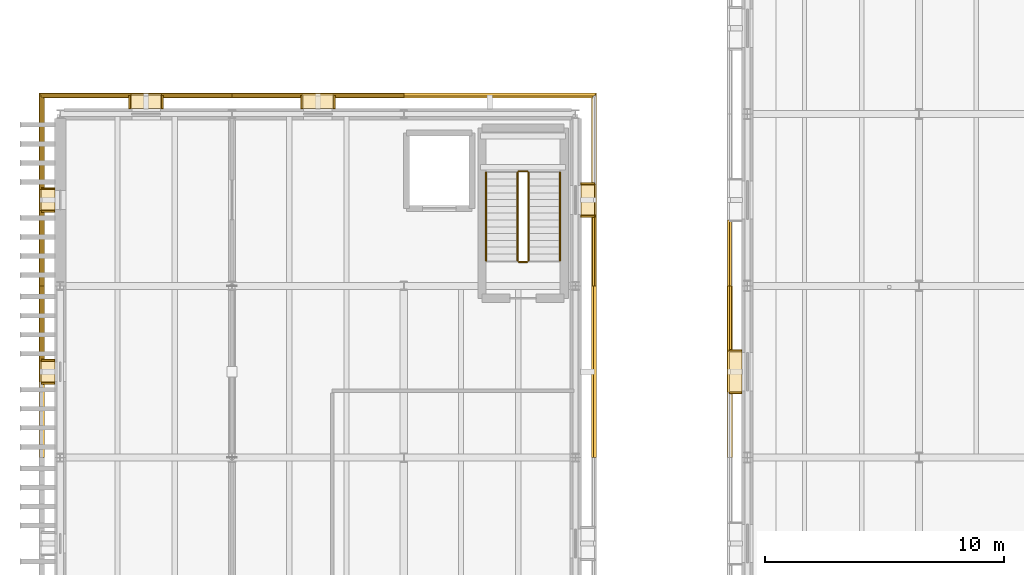
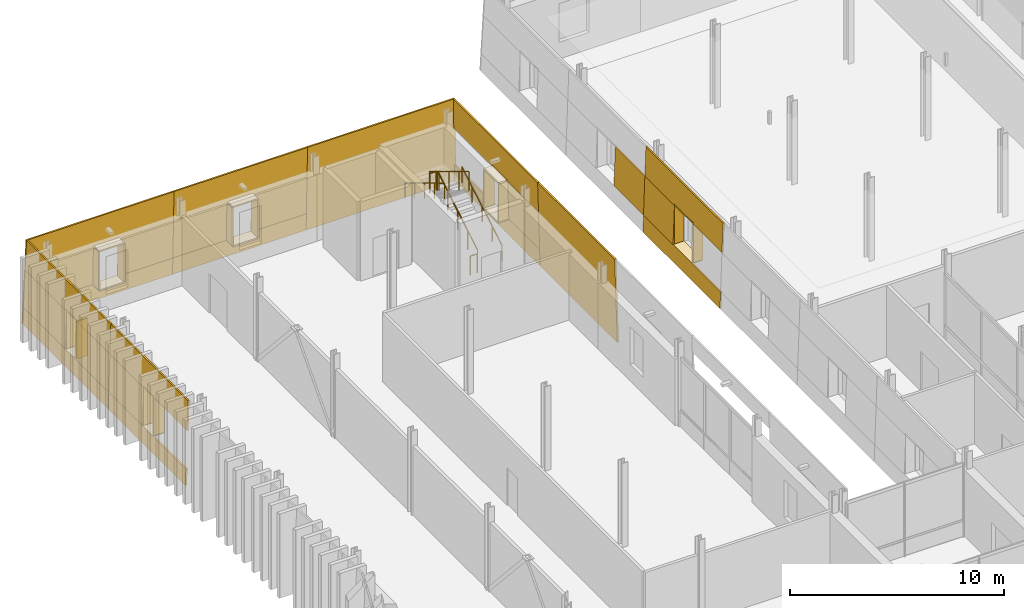
# One storey, part 110 of 121: 48 coverings, 6 railings.
"""IFC4 building model written with IfcOpenShell, lengths in metres."""

import ifcopenshell
import ifcopenshell.guid

model = None  # the IFC model being written
_history = None  # IfcOwnerHistory: only IFC2X3 demands one
_inside = {}  # id of a spatial element -> (the spatial element, [elements in it])
_under = {}  # id of a project, library or spatial element -> (it, [spatial elements below it])
_declared = {}  # id of a project -> (the project, [libraries it declares])
_typed = {}  # id of a type object -> (the type object, [elements of that type])
_made_of = {}  # id of a material, layer set ... -> (it, [elements and type objects made of it])


def new_model(schema):
    """Start an empty IFC model of exactly this schema.

    Asked for "IFC4X3", IfcOpenShell would pick the latest addendum, in which some entities
    have other attributes; the version numbers below select the first issue.
    IFC2X3 requires an IfcOwnerHistory on every rooted entity: one is made here for all.
    """
    global model, _history
    if schema == "IFC4X3":
        model = ifcopenshell.file(schema_version=(4, 3, 0, 0))
    else:
        model = ifcopenshell.file(schema=schema)
    _inside.clear()
    _under.clear()
    _declared.clear()
    _typed.clear()
    _made_of.clear()
    _history = None
    if model.schema == "IFC2X3":
        org = make("IfcOrganization", Name="unknown")
        user = make(
            "IfcPersonAndOrganization",
            ThePerson=make("IfcPerson", FamilyName="unknown"),
            TheOrganization=org,
        )
        app = make(
            "IfcApplication",
            ApplicationDeveloper=org,
            Version="unknown",
            ApplicationFullName="unknown",
            ApplicationIdentifier="unknown",
        )
        _history = make(
            "IfcOwnerHistory",
            OwningUser=user,
            OwningApplication=app,
            ChangeAction="ADDED",
            CreationDate=0,
        )
    return model


def make(cls, **values):
    """One entity of the class cls with the attributes given. An attribute that is None is left unset."""
    return model.create_entity(
        cls, **{name: value for name, value in values.items() if value is not None}
    )


def rooted(cls, **values):
    """An entity with a GlobalId (a new one), such as an element, a storey or a relation."""
    return make(cls, GlobalId=ifcopenshell.guid.new(), OwnerHistory=_history, **values)


def si_unit(unit_type, name, prefix=None):
    """IfcSIUnit, for example si_unit("LENGTHUNIT", "METRE", prefix="MILLI")."""
    return make("IfcSIUnit", UnitType=unit_type, Prefix=prefix, Name=name)


def assignment(units):
    """IfcUnitAssignment: the units of a project."""
    return None if units is None else make("IfcUnitAssignment", Units=units)


def point(xyz):
    """IfcCartesianPoint."""
    return None if xyz is None else make("IfcCartesianPoint", Coordinates=xyz)


def direction(xyz):
    """IfcDirection."""
    return None if xyz is None else make("IfcDirection", DirectionRatios=xyz)


def frame(location, z_axis=None, x_axis=None):
    """IfcAxis2Placement3D, a coordinate frame: its origin and axes. An axis left out is left unset."""
    return make(
        "IfcAxis2Placement3D",
        Location=point(location),
        Axis=direction(z_axis),
        RefDirection=direction(x_axis),
    )


def frame_2d(location, x_axis=None):
    """IfcAxis2Placement2D, a coordinate frame in the plane: its origin and x axis."""
    return make(
        "IfcAxis2Placement2D", Location=point(location), RefDirection=direction(x_axis)
    )


def origin():
    """The frame at (0, 0, 0) with its axes left unset."""
    return frame((0.0, 0.0, 0.0))


def origin_2d():
    """The frame at (0, 0) in the plane with its x axis left unset."""
    return frame_2d((0.0, 0.0))


def place(relative_to, where):
    """IfcLocalPlacement: puts the frame where relative to a parent placement (None: the world)."""
    return make(
        "IfcLocalPlacement", PlacementRelTo=relative_to, RelativePlacement=where
    )


def context(
    kind, dimensions, precision=None, world=None, true_north=None, identifier=None
):
    """IfcGeometricRepresentationContext, for example the 3D "Model" context."""
    return make(
        "IfcGeometricRepresentationContext",
        ContextIdentifier=identifier,
        ContextType=kind,
        CoordinateSpaceDimension=dimensions,
        Precision=precision,
        WorldCoordinateSystem=world,
        TrueNorth=true_north,
    )


def subcontext(parent, identifier, kind, view, scale=None):
    """IfcGeometricRepresentationSubContext, for example "Body" below "Model"."""
    return make(
        "IfcGeometricRepresentationSubContext",
        ContextIdentifier=identifier,
        ContextType=kind,
        ParentContext=parent,
        TargetScale=scale,
        TargetView=view,
    )


def project(units=None, contexts=None):
    """IfcProject with its units and contexts."""
    return rooted(
        "IfcProject",
        Name="project",
        RepresentationContexts=contexts,
        UnitsInContext=assignment(units),
    )


def spatial(cls, under=None, at=None, **own):
    """A site, building, storey or space (cls), placed at a placement, below another one or the project."""
    s = rooted(cls, ObjectPlacement=at, **own)
    if under is not None:
        _under.setdefault(under.id(), (under, []))[1].append(s)
    return s


def polyline(points):
    """IfcPolyline through the points."""
    return make("IfcPolyline", Points=[point(p) for p in points])


def profile(cls, at=None, kind="AREA", **sizes):
    """A parametric profile (cls). Its sizes go by their IFC names, for example OverallWidth=200.0."""
    return make(cls, ProfileType=kind, Position=at, **sizes)


def circle(**sizes):
    """IfcCircleProfileDef."""
    return profile("IfcCircleProfileDef", **sizes)


def outline(outer, holes=None, kind="AREA"):
    """IfcArbitraryClosedProfileDef: a profile drawn as a closed curve; with holes, ...WithVoids."""
    if holes is None:
        return make("IfcArbitraryClosedProfileDef", ProfileType=kind, OuterCurve=outer)
    return make(
        "IfcArbitraryProfileDefWithVoids",
        ProfileType=kind,
        OuterCurve=outer,
        InnerCurves=holes,
    )


def extrude(swept, where, along, depth):
    """IfcExtrudedAreaSolid: the profile swept, set in the frame where, extruded along a direction by depth."""
    return make(
        "IfcExtrudedAreaSolid",
        SweptArea=swept,
        Position=where,
        ExtrudedDirection=direction(along),
        Depth=depth,
    )


def shape(context_of_items, identifier, shape_type, items):
    """IfcShapeRepresentation: the items that make up one representation, for example the "Body"."""
    return make(
        "IfcShapeRepresentation",
        ContextOfItems=context_of_items,
        RepresentationIdentifier=identifier,
        RepresentationType=shape_type,
        Items=items,
    )


def material(Name=None, Category=None):
    """IfcMaterial."""
    return make("IfcMaterial", Name=Name, Category=Category)


def layer(
    of_material, thickness, ventilated=None, Name=None, Category=None, Priority=None
):
    """IfcMaterialLayer: one layer of a wall or slab, of a material (None: an air gap)."""
    return make(
        "IfcMaterialLayer",
        Material=of_material,
        LayerThickness=thickness,
        IsVentilated=ventilated,
        Name=Name,
        Category=Category,
        Priority=Priority,
    )


def layer_set(layers, Name=None):
    """IfcMaterialLayerSet."""
    return make("IfcMaterialLayerSet", MaterialLayers=layers, LayerSetName=Name)


def made_of(thing, what):
    """Note that an element or type object is made of a material, layer set ...; save() writes the relation."""
    if what is not None:
        _made_of.setdefault(what.id(), (what, []))[1].append(thing)
    return thing


def type_object(cls, material=None, **own):
    """A type object (cls), such as IfcWallType, which elements share."""
    return made_of(rooted(cls, **own), material)


def element(
    cls,
    number,
    at=None,
    inside=None,
    cuts=None,
    type_object=None,
    material=None,
    context=None,
    identifier="Body",
    shape_type=None,
    held_by="IfcProductDefinitionShape",
    body=None,
    shapes=None,
    **own,
):
    """One element of the class cls, such as IfcWall. Its Tag is "e" and its number.

    at: its placement. inside: the storey or other place that contains it. cuts: it is an
    opening in that element (IfcRelVoidsElement). A single representation is given by context,
    identifier, shape_type and body (its items); several are given by shapes. held_by: the class
    of the entity that holds the representations. save() writes the other relations.
    """
    e = rooted(cls, Tag="e%d" % number, ObjectPlacement=at, **own)
    if body is not None:
        shapes = [shape(context, identifier, shape_type, body)]
    if shapes is not None:
        e.Representation = make(held_by, Representations=shapes)
    if inside is not None:
        _inside.setdefault(inside.id(), (inside, []))[1].append(e)
    if cuts is not None:
        rooted(
            "IfcRelVoidsElement", RelatingBuildingElement=cuts, RelatedOpeningElement=e
        )
    if type_object is not None:
        _typed.setdefault(type_object.id(), (type_object, []))[1].append(e)
    return made_of(e, material)


def aggregate(whole, parts):
    """IfcRelAggregates: a whole, such as a stair, and the parts it consists of."""
    return rooted("IfcRelAggregates", RelatingObject=whole, RelatedObjects=parts)


def save(model, path):
    """Write the relations noted so far, then the file.

    IfcRelAggregates (storeys below a building ...), IfcRelContainedInSpatialStructure (elements
    in a storey), IfcRelDefinesByType, IfcRelAssociatesMaterial and IfcRelDeclares: one each for
    every whole, place, type object, material and project.
    """
    for whole, parts in _under.values():
        aggregate(whole, parts)
    for where, things in _inside.values():
        rooted(
            "IfcRelContainedInSpatialStructure",
            RelatedElements=things,
            RelatingStructure=where,
        )
    for kind, things in _typed.values():
        rooted("IfcRelDefinesByType", RelatedObjects=things, RelatingType=kind)
    for what, things in _made_of.values():
        rooted("IfcRelAssociatesMaterial", RelatedObjects=things, RelatingMaterial=what)
    for by, libraries in _declared.values():
        rooted("IfcRelDeclares", RelatingContext=by, RelatedDefinitions=libraries)
    model.write(path)


model = new_model("IFC4")

# Units and contexts
model_context = context("Model", 3, precision=1e-05, world=origin(), true_north=direction((0.0, 1.0)))
body_context = subcontext(model_context, "Body", "Model", "MODEL_VIEW")
ifc_project = project(units=[si_unit("LENGTHUNIT", "METRE"), si_unit("AREAUNIT", "SQUARE_METRE"), si_unit("VOLUMEUNIT", "CUBIC_METRE"), si_unit("PLANEANGLEUNIT", "RADIAN"), si_unit("MASSUNIT", "GRAM", prefix="KILO")], contexts=[model_context])

# Site, building, storey
site_placement = place(None, origin())
site = spatial("IfcSite", under=ifc_project, at=site_placement, CompositionType="ELEMENT")
building_placement = place(site_placement, origin())
building = spatial("IfcBuilding", under=site, at=building_placement, Name="Narikvali Park Central Library", CompositionType="ELEMENT")
storey_placement = place(building_placement, frame((0.0, 0.0, 5.39990234375)))
storey = spatial("IfcBuildingStorey", under=building, at=storey_placement, Name="L01", CompositionType="ELEMENT", Elevation=5.39990234375)

# Coverings
ifc_material_1 = material(Name="White Honed Limestone Cladding", Category="masonry")
ifc_layer_1 = layer(ifc_material_1, 0.0849609375, Name="White Honed Limestone Cladding")
ifc_layer_set_1 = layer_set([ifc_layer_1], Name="White Honed Limestone Cladding")
covering_type_1 = type_object("IfcCoveringType", Name="Battered White Limestone Facade Cladding Panel", PredefinedType="CLADDING", material=ifc_layer_set_1)
covering_1_placement = place(storey_placement, frame((27.973876953125, 103.56005859375, 0.9501953125), z_axis=(-0.999431408105, 0.0, 0.033717361898), x_axis=(0.0, -1.0, 0.0)))
element("IfcCovering", 1, at=covering_1_placement, inside=storey, type_object=covering_type_1, Name="V4 L01 W Battered Limestone Jamb Pier R B02", PredefinedType="CLADDING", context=body_context, shape_type="SweptSolid", body=[
    extrude(outline(polyline([(0.0, 0.0), (2.760009765625, 0.0), (2.760009765625, 2.2012027579225295), (0.0, 2.2012027579225295), (0.0, 0.0)])), origin(), (0.0, 0.0, -1.0), 0.0849609375),
])
covering_2_placement = place(storey_placement, frame((27.94189453125, 100.800048828125, 0.0), z_axis=(-0.999434023877, 0.0, 0.033639737186), x_axis=(0.0, -1.0, 0.0)))
element("IfcCovering", 2, at=covering_2_placement, inside=storey, type_object=covering_type_1, Name="V4 L01 W Battered Limestone Spandrel B03", PredefinedType="CLADDING", context=body_context, shape_type="SweptSolid", body=[
    extrude(outline(polyline([(0.0, 0.0), (7.199951171875, 0.0), (7.199951171875, 0.9507334049069504), (0.0, 0.9507334049069504), (0.0, 0.0)])), origin(), (0.0, 0.0, -1.0), 0.0849609375),
])
covering_3_placement = place(storey_placement, frame((28.048095703125, 100.800048828125, 3.150146484375), z_axis=(-0.999436338943, 0.0, 0.0335708862), x_axis=(0.0, -1.0, 0.0)))
element("IfcCovering", 3, at=covering_3_placement, inside=storey, type_object=covering_type_1, Name="V4 L01 W Battered Limestone Lintel B03", PredefinedType="CLADDING", context=body_context, shape_type="SweptSolid", body=[
    extrude(outline(polyline([(0.0, 0.0), (7.199951171875, 0.0), (7.199951171875, 1.6508328539414203), (0.0, 1.6508328539414203), (0.0, 0.0)])), origin(), (0.0, 0.0, -1.0), 0.0849609375),
])
covering_4_placement = place(storey_placement, frame((27.973876953125, 100.800048828125, 0.9501953125), z_axis=(-0.999431408105, 0.0, 0.033717361898), x_axis=(0.0, -1.0, 0.0)))
element("IfcCovering", 4, at=covering_4_placement, inside=storey, type_object=covering_type_1, Name="V4 L01 W Battered Limestone Jamb Pier L B03", PredefinedType="CLADDING", context=body_context, shape_type="SweptSolid", body=[
    extrude(outline(polyline([(0.0, 0.0), (2.760009765625, 0.0), (2.760009765625, 2.2012027579225295), (0.0, 2.2012027579225295), (0.0, 0.0)])), origin(), (0.0, 0.0, -1.0), 0.0849609375),
])
covering_5_placement = place(storey_placement, frame((22.48681640625, 93.60009765625, 0.0), z_axis=(0.999597500885, 0.0, 0.028369635598), x_axis=(0.0, 1.0, 0.0)))
element("IfcCovering", 5, at=covering_5_placement, inside=storey, type_object=covering_type_1, Name="V5 L01 E Battered Limestone Panel B10", PredefinedType="CLADDING", context=body_context, shape_type="SweptSolid", body=[
    extrude(outline(polyline([(0.0, 0.0), (7.199951171875, 0.0), (7.199951171875, 4.8019816214767035), (0.0, 4.8019816214767035), (0.0, 0.0)])), origin(), (0.0, 0.0, -1.0), 0.0849609375),
])
covering_6_placement = place(storey_placement, frame((22.48681640625, 100.800048828125, 0.0), z_axis=(0.999600837605, 0.0, 0.028251822234), x_axis=(0.0, 1.0, 0.0)))
element("IfcCovering", 6, at=covering_6_placement, inside=storey, type_object=covering_type_1, Name="V5 L01 E Battered Limestone Spandrel B11", PredefinedType="CLADDING", context=body_context, shape_type="SweptSolid", body=[
    extrude(outline(polyline([(0.0, 0.0), (8.001708984375, 0.0), (7.974853515625, 0.9505747461924048), (0.0, 0.9505747461924048), (0.0, 0.0)])), origin(), (0.0, 0.0, -1.0), 0.0849609375),
])
covering_7_placement = place(storey_placement, frame((22.39892578125, 100.800048828125, 3.10009765625), z_axis=(0.99959594144, 0.0, 0.02842452914), x_axis=(0.0, 1.0, 0.0)))
element("IfcCovering", 7, at=covering_7_placement, inside=storey, type_object=covering_type_1, Name="V5 L01 E Battered Limestone Lintel B11", PredefinedType="CLADDING", context=body_context, shape_type="SweptSolid", body=[
    extrude(outline(polyline([(0.0, 0.0), (7.913818359375, 0.0), (7.865478515625, 1.7006383293495886), (0.0, 1.7006383293495886), (0.0, 0.0)])), origin(), (0.0, 0.0, -1.0), 0.0849609375),
])
covering_8_placement = place(storey_placement, frame((22.4599609375, 100.800048828125, 0.9501953125), z_axis=(0.99959725493, 0.0, 0.028378300447), x_axis=(0.0, 1.0, 0.0)))
element("IfcCovering", 8, at=covering_8_placement, inside=storey, type_object=covering_type_1, Name="V5 L01 E Battered Limestone Jamb Pier L B11", PredefinedType="CLADDING", context=body_context, shape_type="SweptSolid", body=[
    extrude(outline(polyline([(0.0, 0.0), (2.9599609375, 0.0), (2.9599609375, 2.150768555182125), (0.0, 2.150768555182125), (0.0, 0.0)])), origin(), (0.0, 0.0, -1.0), 0.0849609375),
])
covering_9_placement = place(storey_placement, frame((22.48681640625, 108.88671875, 0.0), z_axis=(0.0, 0.999597500885, 0.028369635598), x_axis=(-1.0, 0.0, 0.0)))
element("IfcCovering", 9, at=covering_9_placement, inside=storey, type_object=covering_type_1, Name="V5 L01 N Battered Limestone Panel B01", PredefinedType="CLADDING", context=body_context, shape_type="SweptSolid", body=[
    extrude(outline(polyline([(0.0, 0.0), (8.0869140625, 0.0), (8.0869140625, 4.8019816214767035), (0.13623046875, 4.8019816214767035), (0.0, 0.0)])), origin(), (0.0, 0.0, -1.0), 0.0849609375),
])
covering_10_placement = place(storey_placement, frame((14.39990234375, 108.88671875, 0.0), z_axis=(0.0, 0.999600837605, 0.028251822234), x_axis=(-1.0, 0.0, 0.0)))
element("IfcCovering", 10, at=covering_10_placement, inside=storey, type_object=covering_type_1, Name="V5 L01 N Battered Limestone Spandrel B02", PredefinedType="CLADDING", context=body_context, shape_type="SweptSolid", body=[
    extrude(outline(polyline([(0.0, 0.0), (7.199951171875, 0.0), (7.199951171875, 0.9505747461924048), (0.0, 0.9505747461924048), (0.0, 0.0)])), origin(), (0.0, 0.0, -1.0), 0.0849609375),
])
covering_11_placement = place(storey_placement, frame((14.39990234375, 108.798828125, 3.10009765625), z_axis=(0.0, 0.99959594144, 0.02842452914), x_axis=(-1.0, 0.0, 0.0)))
element("IfcCovering", 11, at=covering_11_placement, inside=storey, type_object=covering_type_1, Name="V5 L01 N Battered Limestone Lintel B02", PredefinedType="CLADDING", context=body_context, shape_type="SweptSolid", body=[
    extrude(outline(polyline([(0.0, 0.0), (7.199951171875, 0.0), (7.199951171875, 1.7006383293495888), (0.0, 1.7006383293495888), (0.0, 0.0)])), origin(), (0.0, 0.0, -1.0), 0.0849609375),
])
for number, where, z_axis, x_axis, name in (
    (12, (14.39990234375, 108.85986328125, 0.9501953125), (0.0, 0.99959725493, 0.028378300447), (-1.0, 0.0, 0.0), "V5 L01 N Battered Limestone Jamb Pier L B02"),
    (13, (10.159912109375, 108.85986328125, 0.9501953125), (0.0, 0.99959725493, 0.028378300447), (-1.0, 0.0, 0.0), "V5 L01 N Battered Limestone Jamb Pier R B02"),
):
    element("IfcCovering", number, at=place(storey_placement, frame(where, z_axis=z_axis, x_axis=x_axis)), inside=storey, type_object=covering_type_1, Name=name, PredefinedType="CLADDING", context=body_context, shape_type="SweptSolid", body=[
        extrude(outline(polyline([(0.0, 0.0), (2.9599609375, 0.0), (2.9599609375, 2.150768555182125), (0.0, 2.150768555182125), (0.0, 0.0)])), origin(), (0.0, 0.0, -1.0), 0.0849609375),
    ])
covering_12_placement = place(storey_placement, frame((7.199951171875, 108.88671875, 0.0), z_axis=(0.0, 0.999600837605, 0.028251822234), x_axis=(-1.0, 0.0, 0.0)))
element("IfcCovering", 14, at=covering_12_placement, inside=storey, type_object=covering_type_1, Name="V5 L01 N Battered Limestone Spandrel B03", PredefinedType="CLADDING", context=body_context, shape_type="SweptSolid", body=[
    extrude(outline(polyline([(0.0, 0.0), (8.086669921875, 0.0), (8.059814453125, 0.9505747461924048), (0.0, 0.9505747461924048), (0.0, 0.0)])), origin(), (0.0, 0.0, -1.0), 0.0849609375),
])
covering_13_placement = place(storey_placement, frame((7.199951171875, 108.798828125, 3.10009765625), z_axis=(0.0, 0.99959594144, 0.02842452914), x_axis=(-1.0, 0.0, 0.0)))
element("IfcCovering", 15, at=covering_13_placement, inside=storey, type_object=covering_type_1, Name="V5 L01 N Battered Limestone Lintel B03", PredefinedType="CLADDING", context=body_context, shape_type="SweptSolid", body=[
    extrude(outline(polyline([(0.0, 0.0), (7.998779296875, 0.0), (7.950439453125, 1.7006383293495886), (0.0, 1.7006383293495886), (0.0, 0.0)])), origin(), (0.0, 0.0, -1.0), 0.0849609375),
])
covering_14_placement = place(storey_placement, frame((7.199951171875, 108.85986328125, 0.9501953125), z_axis=(0.0, 0.99959725493, 0.028378300447), x_axis=(-1.0, 0.0, 0.0)))
element("IfcCovering", 16, at=covering_14_placement, inside=storey, type_object=covering_type_1, Name="V5 L01 N Battered Limestone Jamb Pier L B03", PredefinedType="CLADDING", context=body_context, shape_type="SweptSolid", body=[
    extrude(outline(polyline([(0.0, 0.0), (2.9599609375, 0.0), (2.9599609375, 2.150768555182125), (0.0, 2.150768555182125), (0.0, 0.0)])), origin(), (0.0, 0.0, -1.0), 0.0849609375),
])
covering_15_placement = place(storey_placement, frame((2.9599609375, 108.85986328125, 0.9501953125), z_axis=(0.0, 0.99959725493, 0.028378300447), x_axis=(-1.0, 0.0, 0.0)))
element("IfcCovering", 17, at=covering_15_placement, inside=storey, type_object=covering_type_1, Name="V5 L01 N Battered Limestone Jamb Pier R B03", PredefinedType="CLADDING", context=body_context, shape_type="SweptSolid", body=[
    extrude(outline(polyline([(0.0, 0.0), (3.81982421875, 0.0), (3.7587890625, 2.150768555182125), (0.0, 2.150768555182125), (0.0, 0.0)])), origin(), (0.0, 0.0, -1.0), 0.0849609375),
])
covering_16_placement = place(storey_placement, frame((-0.88671875, 108.8017578125, 0.0), z_axis=(-0.999600837605, 0.0, 0.028251822234), x_axis=(0.0, -1.0, 0.0)))
element("IfcCovering", 18, at=covering_16_placement, inside=storey, type_object=covering_type_1, Name="V5 L01 W Battered Limestone Spandrel B01", PredefinedType="CLADDING", context=body_context, shape_type="SweptSolid", body=[
    extrude(outline(polyline([(0.0, 0.0), (8.001708984375, 0.0), (8.001708984375, 0.9505747461924048), (0.02685546875, 0.9505747461924048), (0.0, 0.0)])), origin(), (0.0, 0.0, -1.0), 0.0849609375),
])
covering_17_placement = place(storey_placement, frame((-0.798828125, 108.7138671875, 3.10009765625), z_axis=(-0.99959594144, 0.0, 0.02842452914), x_axis=(0.0, -1.0, 0.0)))
element("IfcCovering", 19, at=covering_17_placement, inside=storey, type_object=covering_type_1, Name="V5 L01 W Battered Limestone Lintel B01", PredefinedType="CLADDING", context=body_context, shape_type="SweptSolid", body=[
    extrude(outline(polyline([(0.0, 0.0), (7.913818359375, 0.0), (7.913818359375, 1.7006383293495886), (0.04833984375, 1.7006383293495886), (0.0, 0.0)])), origin(), (0.0, 0.0, -1.0), 0.0849609375),
])
covering_18_placement = place(storey_placement, frame((-0.85986328125, 108.77490234375, 0.9501953125), z_axis=(-0.99959725493, 0.0, 0.028378300447), x_axis=(0.0, -1.0, 0.0)))
element("IfcCovering", 20, at=covering_18_placement, inside=storey, type_object=covering_type_1, Name="V5 L01 W Battered Limestone Jamb Pier L B01", PredefinedType="CLADDING", context=body_context, shape_type="SweptSolid", body=[
    extrude(outline(polyline([(0.0, 0.0), (3.934814453125, 0.0), (3.934814453125, 2.150768555182125), (0.06103515625, 2.150768555182125), (0.0, 0.0)])), origin(), (0.0, 0.0, -1.0), 0.0849609375),
])
covering_19_placement = place(storey_placement, frame((-0.85986328125, 103.9599609375, 0.9501953125), z_axis=(-0.99959725493, 0.0, 0.028378300447), x_axis=(0.0, -1.0, 0.0)))
element("IfcCovering", 21, at=covering_19_placement, inside=storey, type_object=covering_type_1, Name="V5 L01 W Battered Limestone Jamb Pier R B01", PredefinedType="CLADDING", context=body_context, shape_type="SweptSolid", body=[
    extrude(outline(polyline([(0.0, 0.0), (3.159912109375, 0.0), (3.159912109375, 2.150768555182125), (0.0, 2.150768555182125), (0.0, 0.0)])), origin(), (0.0, 0.0, -1.0), 0.0849609375),
])
covering_20_placement = place(storey_placement, frame((-0.88671875, 100.800048828125, 0.0), z_axis=(-0.999600837605, 0.0, 0.028251822234), x_axis=(0.0, -1.0, 0.0)))
element("IfcCovering", 22, at=covering_20_placement, inside=storey, type_object=covering_type_1, Name="V5 L01 W Battered Limestone Spandrel B02", PredefinedType="CLADDING", context=body_context, shape_type="SweptSolid", body=[
    extrude(outline(polyline([(0.0, 0.0), (7.199951171875, 0.0), (7.199951171875, 0.9505747461924048), (0.0, 0.9505747461924048), (0.0, 0.0)])), origin(), (0.0, 0.0, -1.0), 0.0849609375),
])
covering_21_placement = place(storey_placement, frame((-0.798828125, 100.800048828125, 3.10009765625), z_axis=(-0.99959594144, 0.0, 0.02842452914), x_axis=(0.0, -1.0, 0.0)))
element("IfcCovering", 23, at=covering_21_placement, inside=storey, type_object=covering_type_1, Name="V5 L01 W Battered Limestone Lintel B02", PredefinedType="CLADDING", context=body_context, shape_type="SweptSolid", body=[
    extrude(outline(polyline([(0.0, 0.0), (7.199951171875, 0.0), (7.199951171875, 1.7006383293495888), (0.0, 1.7006383293495888), (0.0, 0.0)])), origin(), (0.0, 0.0, -1.0), 0.0849609375),
])
covering_22_placement = place(storey_placement, frame((-0.85986328125, 100.800048828125, 0.9501953125), z_axis=(-0.99959725493, 0.0, 0.028378300447), x_axis=(0.0, -1.0, 0.0)))
element("IfcCovering", 24, at=covering_22_placement, inside=storey, type_object=covering_type_1, Name="V5 L01 W Battered Limestone Jamb Pier L B02", PredefinedType="CLADDING", context=body_context, shape_type="SweptSolid", body=[
    extrude(outline(polyline([(0.0, 0.0), (3.16015625, 0.0), (3.16015625, 2.150768555182125), (0.0, 2.150768555182125), (0.0, 0.0)])), origin(), (0.0, 0.0, -1.0), 0.0849609375),
])
ifc_layer_2 = layer(ifc_material_1, 0.080078125, Name="White Honed Limestone Cladding")
ifc_layer_set_2 = layer_set([ifc_layer_2], Name="White Honed Limestone Cladding")
covering_type_2 = type_object("IfcCoveringType", Name="Deep Carved White Limestone Window Reveal", PredefinedType="CLADDING", material=ifc_layer_set_2)
covering_23_placement = place(storey_placement, frame((0.0, 0.0, 3.150146484375)))
element("IfcCovering", 25, at=covering_23_placement, inside=storey, type_object=covering_type_2, Name="Deep Stone Reveal Head V4-RVL-L01-W-B03", PredefinedType="CLADDING", context=body_context, shape_type="SweptSolid", body=[
    extrude(outline(polyline([(28.574951171875, 98.080078125), (28.574951171875, 96.320068359375), (28.048095703125, 96.320068359375), (28.048095703125, 98.080078125), (28.574951171875, 98.080078125)])), origin(), (0.0, 0.0, 1.0), 0.079833984375),
])
covering_24_placement = place(storey_placement, frame((0.0, 0.0, 0.8701171875)))
element("IfcCovering", 26, at=covering_24_placement, inside=storey, type_object=covering_type_2, Name="Deep Stone Reveal Sill V4-RVL-L01-W-B03", PredefinedType="CLADDING", context=body_context, shape_type="SweptSolid", body=[
    extrude(outline(polyline([(28.574951171875, 98.080078125), (28.574951171875, 96.320068359375), (27.973876953125, 96.320068359375), (27.973876953125, 98.080078125), (28.574951171875, 98.080078125)])), origin(), (0.0, 0.0, 1.0), 0.080078125),
])
covering_25_placement = place(storey_placement, frame((0.0, 0.0, 0.9501953125)))
element("IfcCovering", 27, at=covering_25_placement, inside=storey, type_object=covering_type_2, Name="Deep Stone Reveal Jamb L V4-RVL-L01-W-B03", PredefinedType="CLADDING", context=body_context, shape_type="SweptSolid", body=[
    extrude(outline(polyline([(28.574951171875, 98.1201171875), (28.574951171875, 98.0400390625), (28.048095703125, 98.0400390625), (28.048095703125, 98.1201171875), (28.574951171875, 98.1201171875)])), origin(), (0.0, 0.0, 1.0), 2.199951171875),
])
covering_26_placement = place(storey_placement, frame((0.0, 0.0, 0.9501953125)))
element("IfcCovering", 28, at=covering_26_placement, inside=storey, type_object=covering_type_2, Name="Deep Stone Reveal Jamb R V4-RVL-L01-W-B03", PredefinedType="CLADDING", context=body_context, shape_type="SweptSolid", body=[
    extrude(outline(polyline([(28.574951171875, 96.360107421875), (28.574951171875, 96.280029296875), (28.048095703125, 96.280029296875), (28.048095703125, 96.360107421875), (28.574951171875, 96.360107421875)])), origin(), (0.0, 0.0, 1.0), 2.199951171875),
])
covering_27_placement = place(storey_placement, frame((0.0, 0.0, 3.10009765625)))
element("IfcCovering", 29, at=covering_27_placement, inside=storey, type_object=covering_type_2, Name="Deep Stone Reveal Head V5-RVL-L01-E-B11", PredefinedType="CLADDING", context=body_context, shape_type="SweptSolid", body=[
    extrude(outline(polyline([(21.824951171875, 103.719970703125), (21.824951171875, 105.080078125), (22.39892578125, 105.080078125), (22.39892578125, 103.719970703125), (21.824951171875, 103.719970703125)])), origin(), (0.0, 0.0, 1.0), 0.080078125),
])
covering_28_placement = place(storey_placement, frame((0.0, 0.0, 0.8701171875)))
element("IfcCovering", 30, at=covering_28_placement, inside=storey, type_object=covering_type_2, Name="Deep Stone Reveal Sill V5-RVL-L01-E-B11", PredefinedType="CLADDING", context=body_context, shape_type="SweptSolid", body=[
    extrude(outline(polyline([(21.824951171875, 103.719970703125), (21.824951171875, 105.080078125), (22.4599609375, 105.080078125), (22.4599609375, 103.719970703125), (21.824951171875, 103.719970703125)])), origin(), (0.0, 0.0, 1.0), 0.080078125),
])
covering_29_placement = place(storey_placement, frame((0.0, 0.0, 0.9501953125)))
element("IfcCovering", 31, at=covering_29_placement, inside=storey, type_object=covering_type_2, Name="Deep Stone Reveal Jamb L V5-RVL-L01-E-B11", PredefinedType="CLADDING", context=body_context, shape_type="SweptSolid", body=[
    extrude(outline(polyline([(21.824951171875, 103.679931640625), (21.824951171875, 103.760009765625), (22.39892578125, 103.760009765625), (22.39892578125, 103.679931640625), (21.824951171875, 103.679931640625)])), origin(), (0.0, 0.0, 1.0), 2.14990234375),
])
covering_30_placement = place(storey_placement, frame((0.0, 0.0, 0.9501953125)))
element("IfcCovering", 32, at=covering_30_placement, inside=storey, type_object=covering_type_2, Name="Deep Stone Reveal Jamb R V5-RVL-L01-E-B11", PredefinedType="CLADDING", context=body_context, shape_type="SweptSolid", body=[
    extrude(outline(polyline([(21.824951171875, 105.0400390625), (21.824951171875, 105.1201171875), (22.39892578125, 105.1201171875), (22.39892578125, 105.0400390625), (21.824951171875, 105.0400390625)])), origin(), (0.0, 0.0, 1.0), 2.14990234375),
])
covering_31_placement = place(storey_placement, frame((0.0, 0.0, 3.10009765625)))
element("IfcCovering", 33, at=covering_31_placement, inside=storey, type_object=covering_type_2, Name="Deep Stone Reveal Head V5-RVL-L01-N-B02", PredefinedType="CLADDING", context=body_context, shape_type="SweptSolid", body=[
    extrude(outline(polyline([(11.47998046875, 108.22509765625), (10.1201171875, 108.22509765625), (10.1201171875, 108.798828125), (11.47998046875, 108.798828125), (11.47998046875, 108.22509765625)])), origin(), (0.0, 0.0, 1.0), 0.080078125),
])
covering_32_placement = place(storey_placement, frame((0.0, 0.0, 0.8701171875)))
element("IfcCovering", 34, at=covering_32_placement, inside=storey, type_object=covering_type_2, Name="Deep Stone Reveal Sill V5-RVL-L01-N-B02", PredefinedType="CLADDING", context=body_context, shape_type="SweptSolid", body=[
    extrude(outline(polyline([(11.47998046875, 108.22509765625), (10.1201171875, 108.22509765625), (10.1201171875, 108.85986328125), (11.47998046875, 108.85986328125), (11.47998046875, 108.22509765625)])), origin(), (0.0, 0.0, 1.0), 0.080078125),
])
covering_33_placement = place(storey_placement, frame((0.0, 0.0, 0.9501953125)))
element("IfcCovering", 35, at=covering_33_placement, inside=storey, type_object=covering_type_2, Name="Deep Stone Reveal Jamb L V5-RVL-L01-N-B02", PredefinedType="CLADDING", context=body_context, shape_type="SweptSolid", body=[
    extrude(outline(polyline([(11.52001953125, 108.22509765625), (11.43994140625, 108.22509765625), (11.43994140625, 108.798828125), (11.52001953125, 108.798828125), (11.52001953125, 108.22509765625)])), origin(), (0.0, 0.0, 1.0), 2.14990234375),
])
covering_34_placement = place(storey_placement, frame((0.0, 0.0, 0.9501953125)))
element("IfcCovering", 36, at=covering_34_placement, inside=storey, type_object=covering_type_2, Name="Deep Stone Reveal Jamb R V5-RVL-L01-N-B02", PredefinedType="CLADDING", context=body_context, shape_type="SweptSolid", body=[
    extrude(outline(polyline([(10.159912109375, 108.22509765625), (10.080078125, 108.22509765625), (10.080078125, 108.798828125), (10.159912109375, 108.798828125), (10.159912109375, 108.22509765625)])), origin(), (0.0, 0.0, 1.0), 2.14990234375),
])
covering_35_placement = place(storey_placement, frame((0.0, 0.0, 3.10009765625)))
element("IfcCovering", 37, at=covering_35_placement, inside=storey, type_object=covering_type_2, Name="Deep Stone Reveal Head V5-RVL-L01-N-B03", PredefinedType="CLADDING", context=body_context, shape_type="SweptSolid", body=[
    extrude(outline(polyline([(4.280029296875, 108.22509765625), (2.919921875, 108.22509765625), (2.919921875, 108.798828125), (4.280029296875, 108.798828125), (4.280029296875, 108.22509765625)])), origin(), (0.0, 0.0, 1.0), 0.080078125),
])
covering_36_placement = place(storey_placement, frame((0.0, 0.0, 0.8701171875)))
element("IfcCovering", 38, at=covering_36_placement, inside=storey, type_object=covering_type_2, Name="Deep Stone Reveal Sill V5-RVL-L01-N-B03", PredefinedType="CLADDING", context=body_context, shape_type="SweptSolid", body=[
    extrude(outline(polyline([(4.280029296875, 108.22509765625), (2.919921875, 108.22509765625), (2.919921875, 108.85986328125), (4.280029296875, 108.85986328125), (4.280029296875, 108.22509765625)])), origin(), (0.0, 0.0, 1.0), 0.080078125),
])
covering_37_placement = place(storey_placement, frame((0.0, 0.0, 0.9501953125)))
element("IfcCovering", 39, at=covering_37_placement, inside=storey, type_object=covering_type_2, Name="Deep Stone Reveal Jamb L V5-RVL-L01-N-B03", PredefinedType="CLADDING", context=body_context, shape_type="SweptSolid", body=[
    extrude(outline(polyline([(4.320068359375, 108.22509765625), (4.239990234375, 108.22509765625), (4.239990234375, 108.798828125), (4.320068359375, 108.798828125), (4.320068359375, 108.22509765625)])), origin(), (0.0, 0.0, 1.0), 2.14990234375),
])
covering_38_placement = place(storey_placement, frame((0.0, 0.0, 0.9501953125)))
element("IfcCovering", 40, at=covering_38_placement, inside=storey, type_object=covering_type_2, Name="Deep Stone Reveal Jamb R V5-RVL-L01-N-B03", PredefinedType="CLADDING", context=body_context, shape_type="SweptSolid", body=[
    extrude(outline(polyline([(2.9599609375, 108.22509765625), (2.8798828125, 108.22509765625), (2.8798828125, 108.798828125), (2.9599609375, 108.798828125), (2.9599609375, 108.22509765625)])), origin(), (0.0, 0.0, 1.0), 2.14990234375),
])
covering_39_placement = place(storey_placement, frame((0.0, 0.0, 3.10009765625)))
element("IfcCovering", 41, at=covering_39_placement, inside=storey, type_object=covering_type_2, Name="Deep Stone Reveal Head V5-RVL-L01-W-B01", PredefinedType="CLADDING", context=body_context, shape_type="SweptSolid", body=[
    extrude(outline(polyline([(-0.22509765625, 104.8798828125), (-0.22509765625, 103.919921875), (-0.798828125, 103.919921875), (-0.798828125, 104.8798828125), (-0.22509765625, 104.8798828125)])), origin(), (0.0, 0.0, 1.0), 0.080078125),
])
covering_40_placement = place(storey_placement, frame((0.0, 0.0, 0.8701171875)))
element("IfcCovering", 42, at=covering_40_placement, inside=storey, type_object=covering_type_2, Name="Deep Stone Reveal Sill V5-RVL-L01-W-B01", PredefinedType="CLADDING", context=body_context, shape_type="SweptSolid", body=[
    extrude(outline(polyline([(-0.22509765625, 104.8798828125), (-0.22509765625, 103.919921875), (-0.85986328125, 103.919921875), (-0.85986328125, 104.8798828125), (-0.22509765625, 104.8798828125)])), origin(), (0.0, 0.0, 1.0), 0.080078125),
])
covering_41_placement = place(storey_placement, frame((0.0, 0.0, 0.9501953125)))
element("IfcCovering", 43, at=covering_41_placement, inside=storey, type_object=covering_type_2, Name="Deep Stone Reveal Jamb L V5-RVL-L01-W-B01", PredefinedType="CLADDING", context=body_context, shape_type="SweptSolid", body=[
    extrude(outline(polyline([(-0.22509765625, 104.919921875), (-0.22509765625, 104.840087890625), (-0.798828125, 104.840087890625), (-0.798828125, 104.919921875), (-0.22509765625, 104.919921875)])), origin(), (0.0, 0.0, 1.0), 2.14990234375),
])
covering_42_placement = place(storey_placement, frame((0.0, 0.0, 0.9501953125)))
element("IfcCovering", 44, at=covering_42_placement, inside=storey, type_object=covering_type_2, Name="Deep Stone Reveal Jamb R V5-RVL-L01-W-B01", PredefinedType="CLADDING", context=body_context, shape_type="SweptSolid", body=[
    extrude(outline(polyline([(-0.22509765625, 103.9599609375), (-0.22509765625, 103.8798828125), (-0.798828125, 103.8798828125), (-0.798828125, 103.9599609375), (-0.22509765625, 103.9599609375)])), origin(), (0.0, 0.0, 1.0), 2.14990234375),
])
covering_43_placement = place(storey_placement, frame((0.0, 0.0, 3.10009765625)))
element("IfcCovering", 45, at=covering_43_placement, inside=storey, type_object=covering_type_2, Name="Deep Stone Reveal Head V5-RVL-L01-W-B02", PredefinedType="CLADDING", context=body_context, shape_type="SweptSolid", body=[
    extrude(outline(polyline([(-0.22509765625, 97.679931640625), (-0.22509765625, 96.719970703125), (-0.798828125, 96.719970703125), (-0.798828125, 97.679931640625), (-0.22509765625, 97.679931640625)])), origin(), (0.0, 0.0, 1.0), 0.080078125),
])
covering_44_placement = place(storey_placement, frame((0.0, 0.0, 0.8701171875)))
element("IfcCovering", 46, at=covering_44_placement, inside=storey, type_object=covering_type_2, Name="Deep Stone Reveal Sill V5-RVL-L01-W-B02", PredefinedType="CLADDING", context=body_context, shape_type="SweptSolid", body=[
    extrude(outline(polyline([(-0.22509765625, 97.679931640625), (-0.22509765625, 96.719970703125), (-0.85986328125, 96.719970703125), (-0.85986328125, 97.679931640625), (-0.22509765625, 97.679931640625)])), origin(), (0.0, 0.0, 1.0), 0.080078125),
])
covering_45_placement = place(storey_placement, frame((0.0, 0.0, 0.9501953125)))
element("IfcCovering", 47, at=covering_45_placement, inside=storey, type_object=covering_type_2, Name="Deep Stone Reveal Jamb L V5-RVL-L01-W-B02", PredefinedType="CLADDING", context=body_context, shape_type="SweptSolid", body=[
    extrude(outline(polyline([(-0.22509765625, 97.719970703125), (-0.22509765625, 97.639892578125), (-0.798828125, 97.639892578125), (-0.798828125, 97.719970703125), (-0.22509765625, 97.719970703125)])), origin(), (0.0, 0.0, 1.0), 2.14990234375),
])
covering_46_placement = place(storey_placement, frame((0.0, 0.0, 0.9501953125)))
element("IfcCovering", 48, at=covering_46_placement, inside=storey, type_object=covering_type_2, Name="Deep Stone Reveal Jamb R V5-RVL-L01-W-B02", PredefinedType="CLADDING", context=body_context, shape_type="SweptSolid", body=[
    extrude(outline(polyline([(-0.22509765625, 96.760009765625), (-0.22509765625, 96.679931640625), (-0.798828125, 96.679931640625), (-0.798828125, 96.760009765625), (-0.22509765625, 96.760009765625)])), origin(), (0.0, 0.0, 1.0), 2.14990234375),
])

# Railings
ifc_material_2 = material(Name="Brushed Stainless Steel S355", Category="steel")
ifc_layer_3 = layer(ifc_material_2, 0.044921875, Name="Brushed Stainless Steel S355")
ifc_layer_set_3 = layer_set([ifc_layer_3], Name="Brushed Stainless Steel S355")
railing_type_1 = type_object("IfcRailingType", Name="Stair Tubular Steel Handrail 900", PredefinedType="HANDRAIL", material=ifc_layer_set_3)
railing_1_placement = place(storey_placement, frame((20.949951171875, 101.85009765625, 0.171630859375)))
element("IfcRailing", 49, at=railing_1_placement, inside=storey, type_object=railing_type_1, Name="L01 ST-10 stair handrail 1", PredefinedType="HANDRAIL", context=body_context, shape_type="SweptSolid", body=[
    extrude(circle(Radius=0.02392578125, at=origin_2d()), frame((0.0, 0.0, 0.8759765625), z_axis=(0.0, 0.856919398105, 0.515450429384), x_axis=(-1.0, 0.0, 0.0)), (0.0, 0.0, 1.0), 4.323486328125),
    extrude(circle(Radius=0.02099609375, at=origin_2d()), origin(), (0.0, 0.0, 1.0), 0.851806640625),
    extrude(circle(Radius=0.02099609375, at=origin_2d()), frame((0.0, 0.92626953125, 0.55712890625)), (0.0, 0.0, 1.0), 0.851806640625),
    extrude(circle(Radius=0.02099609375, at=origin_2d()), frame((0.0, 1.8525390625, 1.1142578125)), (0.0, 0.0, 1.0), 0.851806640625),
    extrude(circle(Radius=0.02099609375, at=origin_2d()), frame((0.0, 2.778564453125, 1.67138671875)), (0.0, 0.0, 1.0), 0.851806640625),
    extrude(circle(Radius=0.02099609375, at=origin_2d()), frame((0.0, 3.704833984375, 2.228515625)), (0.0, 0.0, 1.0), 0.851806640625),
])
railing_2_placement = place(storey_placement, frame((17.85009765625, 105.554931640625, 2.571533203125)))
element("IfcRailing", 50, at=railing_2_placement, inside=storey, type_object=railing_type_1, Name="L01 ST-10 stair handrail 2", PredefinedType="HANDRAIL", context=body_context, shape_type="SweptSolid", body=[
    extrude(circle(Radius=0.02392578125, at=origin_2d()), frame((0.0, 0.0, 0.8759765625), z_axis=(0.0, -0.856919398105, 0.515450429384), x_axis=(1.0, 0.0, 0.0)), (0.0, 0.0, 1.0), 4.323486328125),
    extrude(circle(Radius=0.02099609375, at=origin_2d()), origin(), (0.0, 0.0, 1.0), 0.851806640625),
    extrude(circle(Radius=0.02099609375, at=origin_2d()), frame((0.0, -0.92626953125, 0.55712890625)), (0.0, 0.0, 1.0), 0.851806640625),
    extrude(circle(Radius=0.02099609375, at=origin_2d()), frame((0.0, -1.8525390625, 1.1142578125)), (0.0, 0.0, 1.0), 0.851806640625),
    extrude(circle(Radius=0.02099609375, at=origin_2d()), frame((0.0, -2.778564453125, 1.67138671875)), (0.0, 0.0, 1.0), 0.851806640625),
    extrude(circle(Radius=0.02099609375, at=origin_2d()), frame((0.0, -3.704833984375, 2.228515625)), (0.0, 0.0, 1.0), 0.851806640625),
])
ifc_material_3 = material(Name="Powder-Coated Steel S275", Category="steel")
ifc_layer_4 = layer(ifc_material_3, 0.050048828125, Name="Powder-Coated Steel S275")
ifc_layer_set_4 = layer_set([ifc_layer_4], Name="Powder-Coated Steel S275")
railing_type_2 = type_object("IfcRailingType", Name="Stair Well Steel Guardrail 1100", PredefinedType="GUARDRAIL", material=ifc_layer_set_4)
railing_3_placement = place(storey_placement, frame((19.6298828125, 101.85009765625, 0.171630859375)))
element("IfcRailing", 51, at=railing_3_placement, inside=storey, type_object=railing_type_2, Name="L01 ST-10 stair guard 1", PredefinedType="GUARDRAIL", context=body_context, shape_type="SweptSolid", body=[
    extrude(circle(Radius=0.02392578125, at=origin_2d()), frame((0.0, 0.0, 1.076171875), z_axis=(0.0, 0.856919398105, 0.515450429384), x_axis=(-1.0, 0.0, 0.0)), (0.0, 0.0, 1.0), 4.323486328125),
    extrude(circle(Radius=0.02099609375, at=origin_2d()), origin(), (0.0, 0.0, 1.0), 1.052001953125),
    extrude(circle(Radius=0.02099609375, at=origin_2d()), frame((0.0, 0.92626953125, 0.55712890625)), (0.0, 0.0, 1.0), 1.052001953125),
    extrude(circle(Radius=0.02099609375, at=origin_2d()), frame((0.0, 1.8525390625, 1.1142578125)), (0.0, 0.0, 1.0), 1.052001953125),
    extrude(circle(Radius=0.02099609375, at=origin_2d()), frame((0.0, 2.778564453125, 1.67138671875)), (0.0, 0.0, 1.0), 1.052001953125),
    extrude(circle(Radius=0.02099609375, at=origin_2d()), frame((0.0, 3.704833984375, 2.228515625)), (0.0, 0.0, 1.0), 1.052001953125),
])
railing_4_placement = place(storey_placement, frame((19.580078125, 105.60498046875, 2.400146484375)))
element("IfcRailing", 52, at=railing_4_placement, inside=storey, type_object=railing_type_2, Name="L01 ST-10 stair guard 2", PredefinedType="GUARDRAIL", context=body_context, shape_type="SweptSolid", body=[
    extrude(circle(Radius=0.02392578125, at=origin_2d()), frame((0.0, 0.0, 1.076171875), z_axis=(-1.0, 0.0, 0.0), x_axis=(0.0, -1.0, 0.0)), (0.0, 0.0, 1.0), 0.360107421875),
    extrude(circle(Radius=0.02099609375, at=origin_2d()), origin(), (0.0, 0.0, 1.0), 1.052001953125),
    extrude(circle(Radius=0.02099609375, at=origin_2d()), frame((-0.360107421875, 0.0, 0.0)), (0.0, 0.0, 1.0), 1.052001953125),
])
railing_5_placement = place(storey_placement, frame((19.169921875, 105.554931640625, 2.571533203125)))
element("IfcRailing", 53, at=railing_5_placement, inside=storey, type_object=railing_type_2, Name="L01 ST-10 stair guard 3", PredefinedType="GUARDRAIL", context=body_context, shape_type="SweptSolid", body=[
    extrude(circle(Radius=0.02392578125, at=origin_2d()), frame((0.0, 0.0, 1.076171875), z_axis=(0.0, -0.856919398105, 0.515450429384), x_axis=(1.0, 0.0, 0.0)), (0.0, 0.0, 1.0), 4.323486328125),
    extrude(circle(Radius=0.02099609375, at=origin_2d()), origin(), (0.0, 0.0, 1.0), 1.052001953125),
    extrude(circle(Radius=0.02099609375, at=origin_2d()), frame((0.0, -0.92626953125, 0.55712890625)), (0.0, 0.0, 1.0), 1.052001953125),
    extrude(circle(Radius=0.02099609375, at=origin_2d()), frame((0.0, -1.8525390625, 1.1142578125)), (0.0, 0.0, 1.0), 1.052001953125),
    extrude(circle(Radius=0.02099609375, at=origin_2d()), frame((0.0, -2.778564453125, 1.67138671875)), (0.0, 0.0, 1.0), 1.052001953125),
    extrude(circle(Radius=0.02099609375, at=origin_2d()), frame((0.0, -3.704833984375, 2.228515625)), (0.0, 0.0, 1.0), 1.052001953125),
])
railing_6_placement = place(storey_placement, frame((19.580078125, 101.800048828125, 0.0)))
element("IfcRailing", 54, at=railing_6_placement, inside=storey, type_object=railing_type_2, Name="L01 ST-10 stair guard 4", PredefinedType="GUARDRAIL", context=body_context, shape_type="SweptSolid", body=[
    extrude(circle(Radius=0.02392578125, at=origin_2d()), frame((0.0, 0.0, 1.076171875), z_axis=(-1.0, 0.0, 0.0), x_axis=(0.0, -1.0, 0.0)), (0.0, 0.0, 1.0), 0.360107421875),
    extrude(circle(Radius=0.02099609375, at=origin_2d()), origin(), (0.0, 0.0, 1.0), 1.052001953125),
    extrude(circle(Radius=0.02099609375, at=origin_2d()), frame((-0.360107421875, 0.0, 0.0)), (0.0, 0.0, 1.0), 1.052001953125),
])

save(model, "model.ifc")
